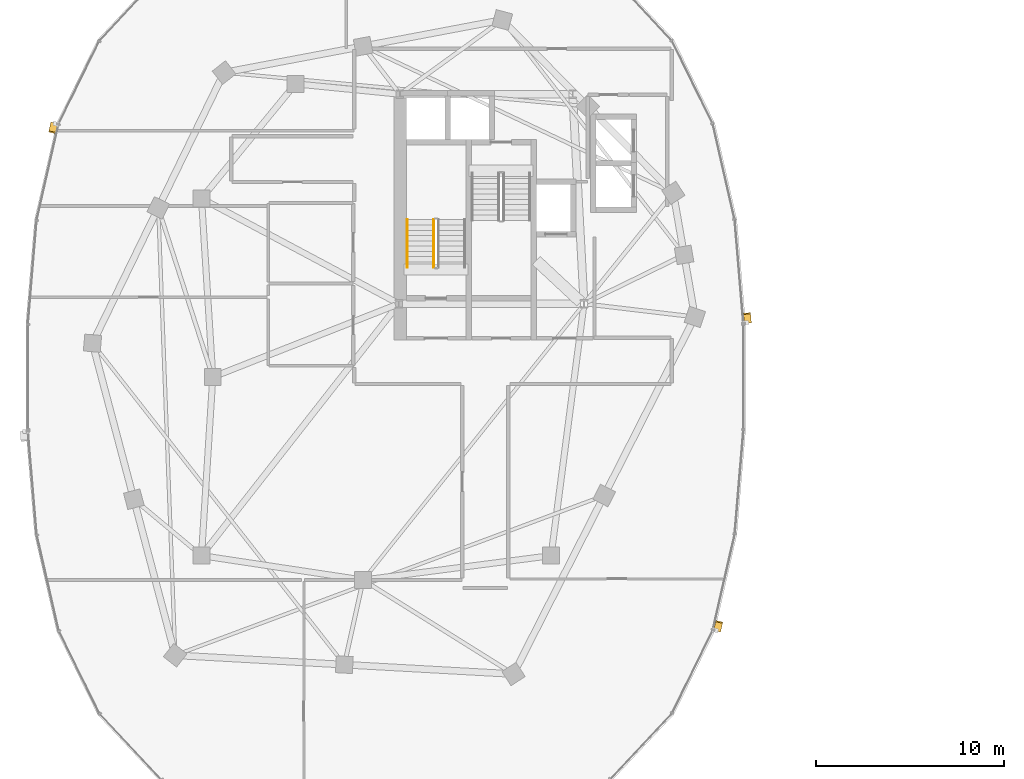
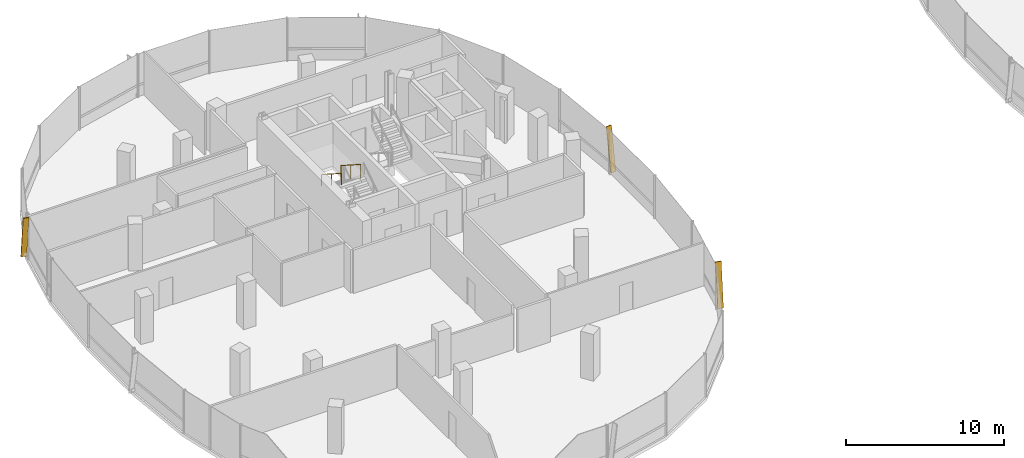
# One storey, part 22 of 25: 3 shading devices, 2 railings.
"""IFC4 building model written with IfcOpenShell, lengths in metres."""

from ifc_helpers import new_model, si_unit, direction, frame, origin, origin_2d, place, context, subcontext, project, spatial, rectangle, extrude, material, material_profile, profile_set, type_object, element, save


model = new_model("IFC4")

# Units and contexts
model_context = context("Model", 3, precision=1e-05, world=origin(), true_north=direction((0.0, 1.0)))
body_context = subcontext(model_context, "Body", "Model", "MODEL_VIEW")
ifc_project = project(units=[si_unit("LENGTHUNIT", "METRE"), si_unit("AREAUNIT", "SQUARE_METRE"), si_unit("VOLUMEUNIT", "CUBIC_METRE"), si_unit("PLANEANGLEUNIT", "RADIAN"), si_unit("MASSUNIT", "GRAM", prefix="KILO"), si_unit("THERMODYNAMICTEMPERATUREUNIT", "KELVIN"), si_unit("POWERUNIT", "WATT")], contexts=[model_context])

# Site, building, storey
site_placement = place(None, origin())
site = spatial("IfcSite", under=ifc_project, at=site_placement, CompositionType="ELEMENT")
building_placement = place(site_placement, origin())
building = spatial("IfcBuilding", under=site, at=building_placement, Name="Cundina Bronze Exchange", CompositionType="ELEMENT")
storey_placement = place(building_placement, frame((0.0, 0.0, 213.39990234375)))
storey = spatial("IfcBuildingStorey", under=building, at=storey_placement, Name="L56", CompositionType="ELEMENT", Elevation=213.39990234375)

# Railings
ifc_material_1 = material(Name="Steel ASTM A36 Painted", Category="steel")
railing_type_1 = type_object("IfcRailingType", Name="RLG-HND-900", PredefinedType="HANDRAIL", material=ifc_material_1)
railing_1_placement = place(storey_placement, frame((-30.85009765625, 8.3701171875, 1.97998046875)))
element("IfcRailing", 1, at=railing_1_placement, inside=storey, type_object=railing_type_1, Name="L56 ST-W1 stair handrail 2", PredefinedType="HANDRAIL", context=body_context, shape_type="SweptSolid", body=[
    extrude(rectangle(XDim=0.048095703125, YDim=0.048095703125, at=origin_2d()), frame((0.0, 0.0, 0.8759765625), z_axis=(0.0, -0.841162588446, 0.540782303519), x_axis=(1.0, 0.0, 0.0)), (0.0, 0.0, 1.0), 2.995849609375),
    extrude(rectangle(XDim=0.0419921875, YDim=0.0419921875, at=origin_2d()), origin(), (0.0, 0.0, 1.0), 0.851806640625),
    extrude(rectangle(XDim=0.0419921875, YDim=0.0419921875, at=origin_2d()), frame((0.0, -1.260009765625, 0.81005859375)), (0.0, 0.0, 1.0), 0.851806640625),
    extrude(rectangle(XDim=0.0419921875, YDim=0.0419921875, at=origin_2d()), frame((0.0, -2.52001953125, 1.6201171875)), (0.0, 0.0, 1.0), 0.851806640625),
])
railing_type_2 = type_object("IfcRailingType", Name="RLG-STG-1100", PredefinedType="GUARDRAIL", material=ifc_material_1)
railing_2_placement = place(storey_placement, frame((-29.449951171875, 8.3701171875, 1.97998046875)))
element("IfcRailing", 2, at=railing_2_placement, inside=storey, type_object=railing_type_2, Name="L56 ST-W1 stair guard 3", PredefinedType="GUARDRAIL", context=body_context, shape_type="SweptSolid", body=[
    extrude(rectangle(XDim=0.048095703125, YDim=0.048095703125, at=origin_2d()), frame((0.0, 0.0, 1.076171875), z_axis=(0.0, -0.841162588446, 0.540782303519), x_axis=(1.0, 0.0, 0.0)), (0.0, 0.0, 1.0), 2.995849609375),
    extrude(rectangle(XDim=0.0419921875, YDim=0.0419921875, at=origin_2d()), origin(), (0.0, 0.0, 1.0), 1.052001953125),
    extrude(rectangle(XDim=0.0419921875, YDim=0.0419921875, at=origin_2d()), frame((0.0, -1.260009765625, 0.81005859375)), (0.0, 0.0, 1.0), 1.052001953125),
    extrude(rectangle(XDim=0.0419921875, YDim=0.0419921875, at=origin_2d()), frame((0.0, -2.52001953125, 1.6201171875)), (0.0, 0.0, 1.0), 1.052001953125),
])

# Shading devices
ifc_material_2 = material(Name="Anodised Bronze Aluminium 6063-T6", Category="aluminium")
ifc_material_profile = material_profile(ifc_material_2, rectangle(XDim=0.070068359375, YDim=0.3798828125, at=origin_2d()), Name="FIN70X380", Category="aluminium")
ifc_profile_set = profile_set([ifc_material_profile], Name="Anodised Bronze Aluminium 6063-T6")
shading_device_type = type_object("IfcShadingDeviceType", Name="SHD-FIN-BRZ380", PredefinedType="USERDEFINED", material=ifc_profile_set)
for number, where, z_axis, x_axis, name in (
    (3, (-12.735595703125, 2.90283203125, 0.02001953125), (-0.012006555776, 0.143419772964, 0.98958911238), (0.082555834947, -0.986139516224, 0.143921466983), "L56 Diagonal Bronze Solar Fin 1"),
    (4, (-49.636962890625, 13.4931640625, 0.02001953125), (-0.032139238682, -0.140343782583, 0.989581068951), (0.220899412839, 0.964610875656, 0.14397676192), "L56 Diagonal Bronze Solar Fin 5"),
    (5, (-14.363037109375, -13.4931640625, 0.02001953125), (0.032139238682, 0.140343782583, 0.989581068951), (-0.220899412839, -0.964610875656, 0.14397676192), "L56 Diagonal Bronze Solar Fin 5"),
):
    element("IfcShadingDevice", number, at=place(storey_placement, frame(where, z_axis=z_axis, x_axis=x_axis)), inside=storey, type_object=shading_device_type, Name=name, ObjectType="FIN", PredefinedType="USERDEFINED", context=body_context, shape_type="SweptSolid", body=[
        extrude(rectangle(XDim=0.070068359375, YDim=0.3798828125, at=origin_2d()), origin(), (0.0, 0.0, 1.0), 3.334716796875),
    ])

save(model, "model.ifc")
